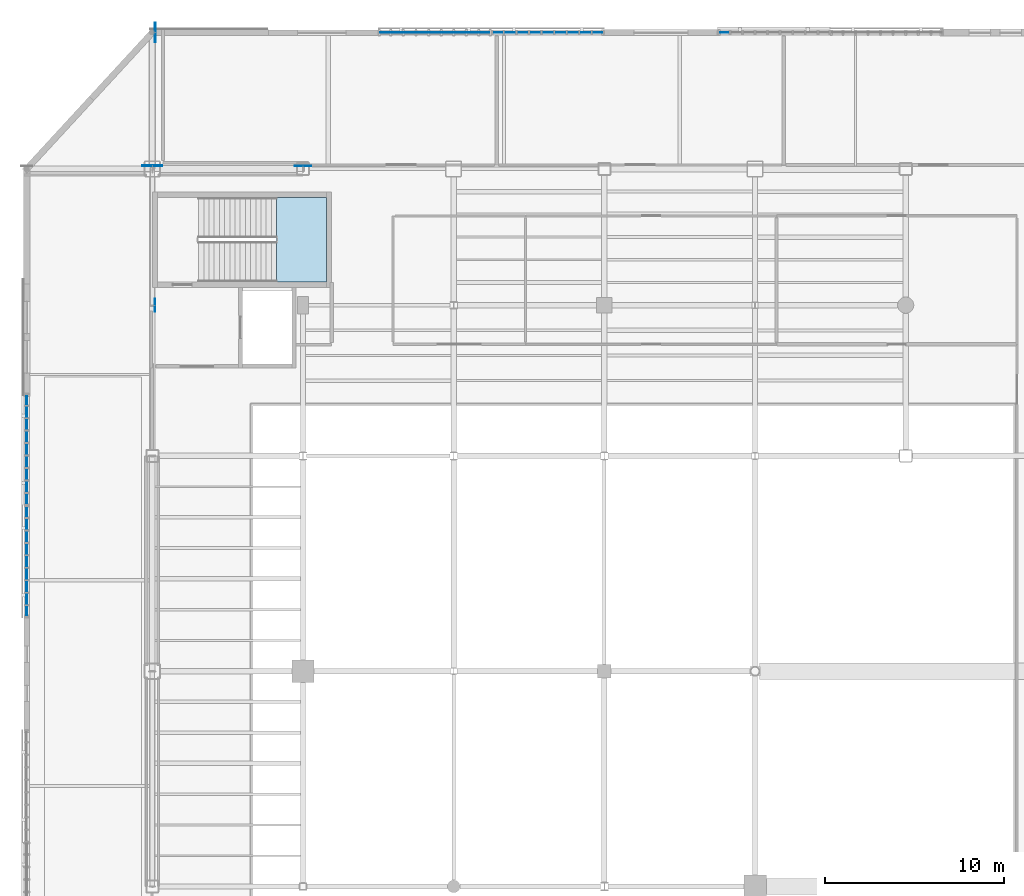
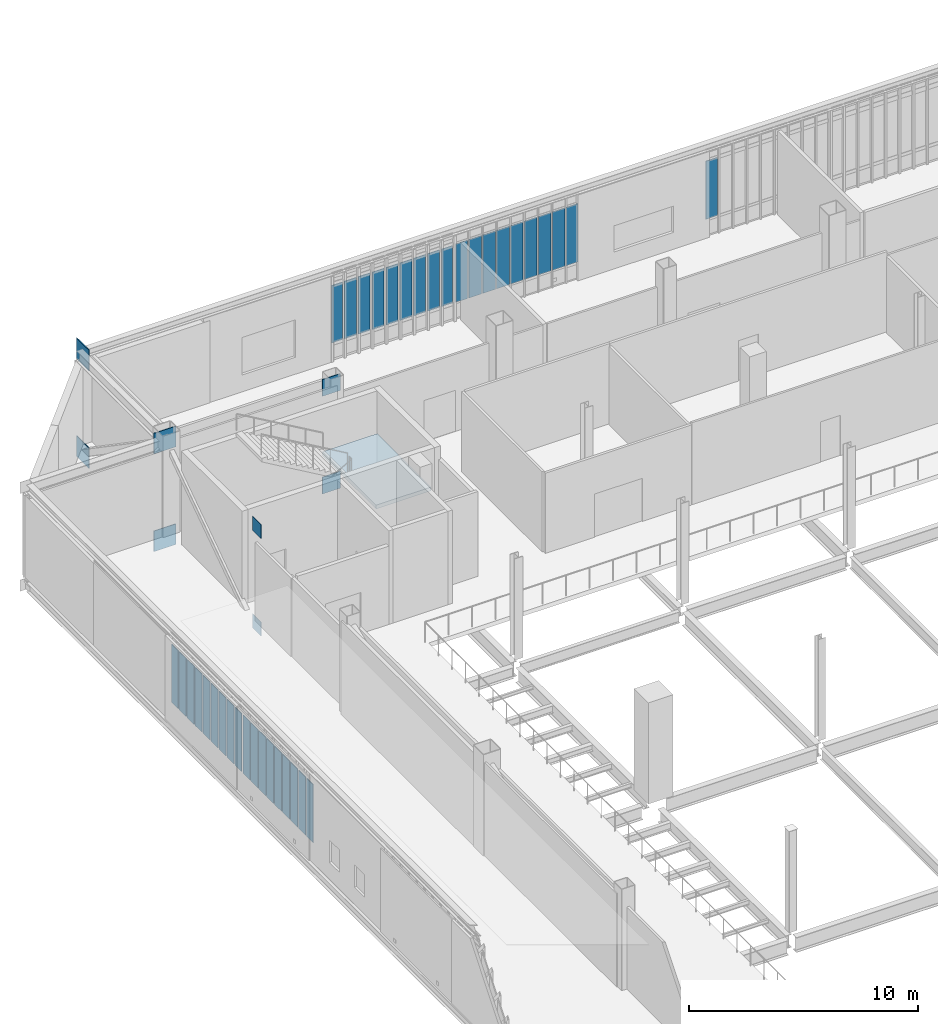
# One storey, part 78 of 127: 45 plates, 1 slab, 6 elements without a shape of their own.
"""IFC4 building model written with IfcOpenShell, lengths in metres."""

from ifc_helpers import new_model, si_unit, direction, frame, origin, origin_2d, place, context, subcontext, project, spatial, polyline, rectangle, outline, extrude, material, layer, layer_set, type_object, element, aggregate, save


model = new_model("IFC4")

# Units and contexts
model_context = context("Model", 3, precision=1e-05, world=origin(), true_north=direction((0.0, 1.0)))
body_context = subcontext(model_context, "Body", "Model", "MODEL_VIEW")
ifc_project = project(units=[si_unit("LENGTHUNIT", "METRE"), si_unit("AREAUNIT", "SQUARE_METRE"), si_unit("VOLUMEUNIT", "CUBIC_METRE"), si_unit("PLANEANGLEUNIT", "RADIAN"), si_unit("MASSUNIT", "GRAM", prefix="KILO")], contexts=[model_context])

# Site, building, storey
site_placement = place(None, origin())
site = spatial("IfcSite", under=ifc_project, at=site_placement, CompositionType="ELEMENT")
building_placement = place(site_placement, origin())
building = spatial("IfcBuilding", under=site, at=building_placement, Name="Larkvane Passage Sports Hall", CompositionType="ELEMENT")
storey_placement = place(building_placement, frame((0.0, 0.0, 5.39990234375)))
storey = spatial("IfcBuildingStorey", under=building, at=storey_placement, Name="L01", CompositionType="ELEMENT", Elevation=5.39990234375)

# Curtain wall, plates
ifc_material_1 = material(Name="Thermally broken aluminium and low-E glazing", Category="aluminium")
curtain_wall_type_1 = type_object("IfcCurtainWallType", Name="CW-UNIT-COURT", PredefinedType="USERDEFINED", material=ifc_material_1)
curtain_wall_1_placement = place(storey_placement, origin())
curtain_wall_1 = element("IfcCurtainWall", 1, at=curtain_wall_1_placement, inside=storey, type_object=curtain_wall_type_1, Name="Curtain wall CW5-L01-040", ObjectType="UNITISED CURTAIN WALL", PredefinedType="USERDEFINED")
ifc_material_2 = material(Name="Solar-control low-E double glazing", Category="glass")
ifc_layer_1 = layer(ifc_material_2, 0.028076171875)
ifc_layer_set_1 = layer_set([ifc_layer_1], Name="Solar-control low-E double glazing")
plate_type_1 = type_object("IfcPlateType", Name="CWP-VIS-28", PredefinedType="CURTAIN_PANEL", material=ifc_layer_set_1)
plate_1_placement = place(storey_placement, frame((54.066162109375, 99.199951171875, 0.8828125), z_axis=(0.0, 0.0, 1.0), x_axis=(1.0, 0.0, 0.0)))
plate_1 = element("IfcPlate", 2, at=plate_1_placement, type_object=plate_type_1, Name="CW-01 panel 1.2", PredefinedType="CURTAIN_PANEL", context=body_context, shape_type="SweptSolid", body=[
    extrude(rectangle(XDim=0.6025390625, YDim=0.028076171875, at=origin_2d()), origin(), (0.0, 0.0, 1.0), 3.113037109375),
])
plate_2_placement = place(storey_placement, frame((54.75, 99.199951171875, 0.8828125), z_axis=(0.0, 0.0, 1.0), x_axis=(1.0, 0.0, 0.0)))
plate_2 = element("IfcPlate", 3, at=plate_2_placement, type_object=plate_type_1, Name="CW-01 panel 2.2", PredefinedType="CURTAIN_PANEL", context=body_context, shape_type="SweptSolid", body=[
    extrude(rectangle(XDim=0.635009765625, YDim=0.028076171875, at=origin_2d()), origin(), (0.0, 0.0, 1.0), 3.113037109375),
])
plate_3_placement = place(storey_placement, frame((55.449951171875, 99.199951171875, 0.8828125), z_axis=(0.0, 0.0, 1.0), x_axis=(1.0, 0.0, 0.0)))
plate_3 = element("IfcPlate", 4, at=plate_3_placement, type_object=plate_type_1, Name="CW-01 panel 3.2", PredefinedType="CURTAIN_PANEL", context=body_context, shape_type="SweptSolid", body=[
    extrude(rectangle(XDim=0.635009765625, YDim=0.028076171875, at=origin_2d()), origin(), (0.0, 0.0, 1.0), 3.113037109375),
])
plate_4_placement = place(storey_placement, frame((56.14990234375, 99.199951171875, 0.8828125), z_axis=(0.0, 0.0, 1.0), x_axis=(1.0, 0.0, 0.0)))
plate_4 = element("IfcPlate", 5, at=plate_4_placement, type_object=plate_type_1, Name="CW-01 panel 4.2", PredefinedType="CURTAIN_PANEL", context=body_context, shape_type="SweptSolid", body=[
    extrude(rectangle(XDim=0.635009765625, YDim=0.028076171875, at=origin_2d()), origin(), (0.0, 0.0, 1.0), 3.113037109375),
])
plate_5_placement = place(storey_placement, frame((56.85009765625, 99.199951171875, 0.8828125), z_axis=(0.0, 0.0, 1.0), x_axis=(1.0, 0.0, 0.0)))
plate_5 = element("IfcPlate", 6, at=plate_5_placement, type_object=plate_type_1, Name="CW-01 panel 5.2", PredefinedType="CURTAIN_PANEL", context=body_context, shape_type="SweptSolid", body=[
    extrude(rectangle(XDim=0.635009765625, YDim=0.028076171875, at=origin_2d()), origin(), (0.0, 0.0, 1.0), 3.113037109375),
])
plate_6_placement = place(storey_placement, frame((57.550048828125, 99.199951171875, 0.8828125), z_axis=(0.0, 0.0, 1.0), x_axis=(1.0, 0.0, 0.0)))
plate_6 = element("IfcPlate", 7, at=plate_6_placement, type_object=plate_type_1, Name="CW-01 panel 6.2", PredefinedType="CURTAIN_PANEL", context=body_context, shape_type="SweptSolid", body=[
    extrude(rectangle(XDim=0.635009765625, YDim=0.028076171875, at=origin_2d()), origin(), (0.0, 0.0, 1.0), 3.113037109375),
])
plate_7_placement = place(storey_placement, frame((58.25, 99.199951171875, 0.8828125), z_axis=(0.0, 0.0, 1.0), x_axis=(1.0, 0.0, 0.0)))
plate_7 = element("IfcPlate", 8, at=plate_7_placement, type_object=plate_type_1, Name="CW-01 panel 7.2", PredefinedType="CURTAIN_PANEL", context=body_context, shape_type="SweptSolid", body=[
    extrude(rectangle(XDim=0.635009765625, YDim=0.028076171875, at=origin_2d()), origin(), (0.0, 0.0, 1.0), 3.113037109375),
])
plate_8_placement = place(storey_placement, frame((58.949951171875, 99.199951171875, 0.8828125), z_axis=(0.0, 0.0, 1.0), x_axis=(1.0, 0.0, 0.0)))
plate_8 = element("IfcPlate", 9, at=plate_8_placement, type_object=plate_type_1, Name="CW-01 panel 8.2", PredefinedType="CURTAIN_PANEL", context=body_context, shape_type="SweptSolid", body=[
    extrude(rectangle(XDim=0.635009765625, YDim=0.028076171875, at=origin_2d()), origin(), (0.0, 0.0, 1.0), 3.113037109375),
])
plate_9_placement = place(storey_placement, frame((59.6337890625, 99.199951171875, 0.8828125), z_axis=(0.0, 0.0, 1.0), x_axis=(1.0, 0.0, 0.0)))
plate_9 = element("IfcPlate", 10, at=plate_9_placement, type_object=plate_type_1, Name="CW-01 panel 9.2", PredefinedType="CURTAIN_PANEL", context=body_context, shape_type="SweptSolid", body=[
    extrude(rectangle(XDim=0.6025390625, YDim=0.028076171875, at=origin_2d()), origin(), (0.0, 0.0, 1.0), 3.113037109375),
])
aggregate(curtain_wall_1, [plate_1, plate_2, plate_3, plate_4, plate_5, plate_6, plate_7, plate_8, plate_9])

curtain_wall_type_2 = type_object("IfcCurtainWallType", Name="CW-UNIT-VEIL", PredefinedType="USERDEFINED", material=ifc_material_1)
curtain_wall_2_placement = place(storey_placement, origin())
curtain_wall_2 = element("IfcCurtainWall", 11, at=curtain_wall_2_placement, inside=storey, type_object=curtain_wall_type_2, Name="Curtain wall CW5-L01-037", ObjectType="UNITISED CURTAIN WALL", PredefinedType="USERDEFINED")
ifc_material_3 = material(Name="Laminated acoustic low-E glazing", Category="glass")
ifc_layer_2 = layer(ifc_material_3, 0.031982421875)
ifc_layer_set_2 = layer_set([ifc_layer_2], Name="Laminated acoustic low-E glazing")
plate_type_2 = type_object("IfcPlateType", Name="CWP-VIS-32", PredefinedType="CURTAIN_PANEL", material=ifc_layer_set_2)
plate_10_placement = place(storey_placement, frame((27.800048828125, 66.94677734375, 0.88525390625), z_axis=(0.0, 0.0, 1.0), x_axis=(0.0, 1.0, 0.0)))
plate_10 = element("IfcPlate", 12, at=plate_10_placement, type_object=plate_type_2, Name="CW-02 panel 1.2", PredefinedType="CURTAIN_PANEL", context=body_context, shape_type="SweptSolid", body=[
    extrude(rectangle(XDim=0.58984375, YDim=0.031982421875, at=origin_2d()), origin(), (0.0, 0.0, 1.0), 3.10791015625),
])
plate_11_placement = place(storey_placement, frame((27.800048828125, 67.624267578125, 0.88525390625), z_axis=(0.0, 0.0, 1.0), x_axis=(0.0, 1.0, 0.0)))
plate_11 = element("IfcPlate", 13, at=plate_11_placement, type_object=plate_type_2, Name="CW-02 panel 2.2", PredefinedType="CURTAIN_PANEL", context=body_context, shape_type="SweptSolid", body=[
    extrude(rectangle(XDim=0.625, YDim=0.031982421875, at=origin_2d()), origin(), (0.0, 0.0, 1.0), 3.10791015625),
])
plate_12_placement = place(storey_placement, frame((27.800048828125, 68.319091796875, 0.88525390625), z_axis=(0.0, 0.0, 1.0), x_axis=(0.0, 1.0, 0.0)))
plate_12 = element("IfcPlate", 14, at=plate_12_placement, type_object=plate_type_2, Name="CW-02 panel 3.2", PredefinedType="CURTAIN_PANEL", context=body_context, shape_type="SweptSolid", body=[
    extrude(rectangle(XDim=0.625, YDim=0.031982421875, at=origin_2d()), origin(), (0.0, 0.0, 1.0), 3.10791015625),
])
plate_13_placement = place(storey_placement, frame((27.800048828125, 69.01416015625, 0.88525390625), z_axis=(0.0, 0.0, 1.0), x_axis=(0.0, 1.0, 0.0)))
plate_13 = element("IfcPlate", 15, at=plate_13_placement, type_object=plate_type_2, Name="CW-02 panel 4.2", PredefinedType="CURTAIN_PANEL", context=body_context, shape_type="SweptSolid", body=[
    extrude(rectangle(XDim=0.625, YDim=0.031982421875, at=origin_2d()), origin(), (0.0, 0.0, 1.0), 3.10791015625),
])
plate_14_placement = place(storey_placement, frame((27.800048828125, 69.708984375, 0.88525390625), z_axis=(0.0, 0.0, 1.0), x_axis=(0.0, 1.0, 0.0)))
plate_14 = element("IfcPlate", 16, at=plate_14_placement, type_object=plate_type_2, Name="CW-02 panel 5.2", PredefinedType="CURTAIN_PANEL", context=body_context, shape_type="SweptSolid", body=[
    extrude(rectangle(XDim=0.625, YDim=0.031982421875, at=origin_2d()), origin(), (0.0, 0.0, 1.0), 3.10791015625),
])
plate_15_placement = place(storey_placement, frame((27.800048828125, 70.404052734375, 0.88525390625), z_axis=(0.0, 0.0, 1.0), x_axis=(0.0, 1.0, 0.0)))
plate_15 = element("IfcPlate", 17, at=plate_15_placement, type_object=plate_type_2, Name="CW-02 panel 6.2", PredefinedType="CURTAIN_PANEL", context=body_context, shape_type="SweptSolid", body=[
    extrude(rectangle(XDim=0.625, YDim=0.031982421875, at=origin_2d()), origin(), (0.0, 0.0, 1.0), 3.10791015625),
])
plate_16_placement = place(storey_placement, frame((27.800048828125, 71.09912109375, 0.88525390625), z_axis=(0.0, 0.0, 1.0), x_axis=(0.0, 1.0, 0.0)))
plate_16 = element("IfcPlate", 18, at=plate_16_placement, type_object=plate_type_2, Name="CW-02 panel 7.2", PredefinedType="CURTAIN_PANEL", context=body_context, shape_type="SweptSolid", body=[
    extrude(rectangle(XDim=0.625, YDim=0.031982421875, at=origin_2d()), origin(), (0.0, 0.0, 1.0), 3.10791015625),
])
plate_17_placement = place(storey_placement, frame((27.800048828125, 71.7939453125, 0.88525390625), z_axis=(0.0, 0.0, 1.0), x_axis=(0.0, 1.0, 0.0)))
plate_17 = element("IfcPlate", 19, at=plate_17_placement, type_object=plate_type_2, Name="CW-02 panel 8.2", PredefinedType="CURTAIN_PANEL", context=body_context, shape_type="SweptSolid", body=[
    extrude(rectangle(XDim=0.625, YDim=0.031982421875, at=origin_2d()), origin(), (0.0, 0.0, 1.0), 3.10791015625),
])
plate_18_placement = place(storey_placement, frame((27.800048828125, 72.471435546875, 0.88525390625), z_axis=(0.0, 0.0, 1.0), x_axis=(0.0, 1.0, 0.0)))
plate_18 = element("IfcPlate", 20, at=plate_18_placement, type_object=plate_type_2, Name="CW-02 panel 9.2", PredefinedType="CURTAIN_PANEL", context=body_context, shape_type="SweptSolid", body=[
    extrude(rectangle(XDim=0.58984375, YDim=0.031982421875, at=origin_2d()), origin(), (0.0, 0.0, 1.0), 3.10791015625),
])
aggregate(curtain_wall_2, [plate_10, plate_11, plate_12, plate_13, plate_14, plate_15, plate_16, plate_17, plate_18])

# Curtain wall, plate
curtain_wall_3_placement = place(storey_placement, origin())
curtain_wall_3 = element("IfcCurtainWall", 21, at=curtain_wall_3_placement, inside=storey, type_object=curtain_wall_type_2, Name="Curtain wall CW5-L01-041", ObjectType="UNITISED CURTAIN WALL", PredefinedType="USERDEFINED")
plate_19_placement = place(storey_placement, frame((66.668701171875, 99.199951171875, 0.8876953125), z_axis=(0.0, 0.0, 1.0), x_axis=(1.0, 0.0, 0.0)))
plate_19 = element("IfcPlate", 22, at=plate_19_placement, type_object=plate_type_2, Name="CW-02 panel 1.2", PredefinedType="CURTAIN_PANEL", context=body_context, shape_type="SweptSolid", body=[
    extrude(rectangle(XDim=0.58740234375, YDim=0.031982421875, at=origin_2d()), origin(), (0.0, 0.0, 1.0), 3.10302734375),
])
aggregate(curtain_wall_3, [plate_19])

# Curtain wall, plates
curtain_wall_type_3 = type_object("IfcCurtainWallType", Name="CW-STICK-FOYER", PredefinedType="USERDEFINED", material=ifc_material_1)
curtain_wall_4_placement = place(storey_placement, origin())
curtain_wall_4 = element("IfcCurtainWall", 23, at=curtain_wall_4_placement, inside=storey, type_object=curtain_wall_type_3, Name="Curtain wall CW5-L01-038", ObjectType="STICK CURTAIN WALL", PredefinedType="USERDEFINED")
ifc_material_4 = material(Name="High-impact court low-E glazing", Category="glass")
ifc_layer_3 = layer(ifc_material_4, 0.035888671875)
ifc_layer_set_3 = layer_set([ifc_layer_3], Name="High-impact court low-E glazing")
plate_type_3 = type_object("IfcPlateType", Name="CWP-VIS-36", PredefinedType="CURTAIN_PANEL", material=ifc_layer_set_3)
plate_20_placement = place(storey_placement, frame((27.800048828125, 73.203857421875, 0.89013671875), z_axis=(0.0, 0.0, 1.0), x_axis=(0.0, 1.0, 0.0)))
plate_20 = element("IfcPlate", 24, at=plate_20_placement, type_object=plate_type_3, Name="CW-03 panel 1.2", PredefinedType="CURTAIN_PANEL", context=body_context, shape_type="SweptSolid", body=[
    extrude(rectangle(XDim=0.574951171875, YDim=0.035888671875, at=origin_2d()), origin(), (0.0, 0.0, 1.0), 3.097900390625),
])
plate_21_placement = place(storey_placement, frame((27.800048828125, 73.87890625, 0.89013671875), z_axis=(0.0, 0.0, 1.0), x_axis=(0.0, 1.0, 0.0)))
plate_21 = element("IfcPlate", 25, at=plate_21_placement, type_object=plate_type_3, Name="CW-03 panel 2.2", PredefinedType="CURTAIN_PANEL", context=body_context, shape_type="SweptSolid", body=[
    extrude(rectangle(XDim=0.614990234375, YDim=0.035888671875, at=origin_2d()), origin(), (0.0, 0.0, 1.0), 3.097900390625),
])
plate_22_placement = place(storey_placement, frame((27.800048828125, 74.57373046875, 0.89013671875), z_axis=(0.0, 0.0, 1.0), x_axis=(0.0, 1.0, 0.0)))
plate_22 = element("IfcPlate", 26, at=plate_22_placement, type_object=plate_type_3, Name="CW-03 panel 3.2", PredefinedType="CURTAIN_PANEL", context=body_context, shape_type="SweptSolid", body=[
    extrude(rectangle(XDim=0.614990234375, YDim=0.035888671875, at=origin_2d()), origin(), (0.0, 0.0, 1.0), 3.097900390625),
])
plate_23_placement = place(storey_placement, frame((27.800048828125, 75.268798828125, 0.89013671875), z_axis=(0.0, 0.0, 1.0), x_axis=(0.0, 1.0, 0.0)))
plate_23 = element("IfcPlate", 27, at=plate_23_placement, type_object=plate_type_3, Name="CW-03 panel 4.2", PredefinedType="CURTAIN_PANEL", context=body_context, shape_type="SweptSolid", body=[
    extrude(rectangle(XDim=0.614990234375, YDim=0.035888671875, at=origin_2d()), origin(), (0.0, 0.0, 1.0), 3.097900390625),
])
plate_24_placement = place(storey_placement, frame((27.800048828125, 75.963623046875, 0.89013671875), z_axis=(0.0, 0.0, 1.0), x_axis=(0.0, 1.0, 0.0)))
plate_24 = element("IfcPlate", 28, at=plate_24_placement, type_object=plate_type_3, Name="CW-03 panel 5.2", PredefinedType="CURTAIN_PANEL", context=body_context, shape_type="SweptSolid", body=[
    extrude(rectangle(XDim=0.614990234375, YDim=0.035888671875, at=origin_2d()), origin(), (0.0, 0.0, 1.0), 3.097900390625),
])
plate_25_placement = place(storey_placement, frame((27.800048828125, 76.65869140625, 0.89013671875), z_axis=(0.0, 0.0, 1.0), x_axis=(0.0, 1.0, 0.0)))
plate_25 = element("IfcPlate", 29, at=plate_25_placement, type_object=plate_type_3, Name="CW-03 panel 6.2", PredefinedType="CURTAIN_PANEL", context=body_context, shape_type="SweptSolid", body=[
    extrude(rectangle(XDim=0.614990234375, YDim=0.035888671875, at=origin_2d()), origin(), (0.0, 0.0, 1.0), 3.097900390625),
])
plate_26_placement = place(storey_placement, frame((27.800048828125, 77.353515625, 0.89013671875), z_axis=(0.0, 0.0, 1.0), x_axis=(0.0, 1.0, 0.0)))
plate_26 = element("IfcPlate", 30, at=plate_26_placement, type_object=plate_type_3, Name="CW-03 panel 7.2", PredefinedType="CURTAIN_PANEL", context=body_context, shape_type="SweptSolid", body=[
    extrude(rectangle(XDim=0.614990234375, YDim=0.035888671875, at=origin_2d()), origin(), (0.0, 0.0, 1.0), 3.097900390625),
])
plate_27_placement = place(storey_placement, frame((27.800048828125, 78.048583984375, 0.89013671875), z_axis=(0.0, 0.0, 1.0), x_axis=(0.0, 1.0, 0.0)))
plate_27 = element("IfcPlate", 31, at=plate_27_placement, type_object=plate_type_3, Name="CW-03 panel 8.2", PredefinedType="CURTAIN_PANEL", context=body_context, shape_type="SweptSolid", body=[
    extrude(rectangle(XDim=0.614990234375, YDim=0.035888671875, at=origin_2d()), origin(), (0.0, 0.0, 1.0), 3.097900390625),
])
plate_28_placement = place(storey_placement, frame((27.800048828125, 78.723388671875, 0.89013671875), z_axis=(0.0, 0.0, 1.0), x_axis=(0.0, 1.0, 0.0)))
plate_28 = element("IfcPlate", 32, at=plate_28_placement, type_object=plate_type_3, Name="CW-03 panel 9.2", PredefinedType="CURTAIN_PANEL", context=body_context, shape_type="SweptSolid", body=[
    extrude(rectangle(XDim=0.574951171875, YDim=0.035888671875, at=origin_2d()), origin(), (0.0, 0.0, 1.0), 3.097900390625),
])
aggregate(curtain_wall_4, [plate_20, plate_21, plate_22, plate_23, plate_24, plate_25, plate_26, plate_27, plate_28])

curtain_wall_type_4 = type_object("IfcCurtainWallType", Name="CW-CLINIC", PredefinedType="USERDEFINED", material=ifc_material_1)
curtain_wall_5_placement = place(storey_placement, origin())
curtain_wall_5 = element("IfcCurtainWall", 33, at=curtain_wall_5_placement, inside=storey, type_object=curtain_wall_type_4, Name="Curtain wall CW5-L01-039", ObjectType="UNITISED CURTAIN WALL", PredefinedType="USERDEFINED")
ifc_material_5 = material(Name="Triple-laminated typhoon glazing", Category="glass")
ifc_layer_4 = layer(ifc_material_5, 0.0419921875)
ifc_layer_set_4 = layer_set([ifc_layer_4], Name="Triple-laminated typhoon glazing")
plate_type_4 = type_object("IfcPlateType", Name="CWP-VIS-42", PredefinedType="CURTAIN_PANEL", material=ifc_layer_set_4)
plate_29_placement = place(storey_placement, frame((47.777587890625, 99.199951171875, 0.905029296875), z_axis=(0.0, 0.0, 1.0), x_axis=(1.0, 0.0, 0.0)))
plate_29 = element("IfcPlate", 34, at=plate_29_placement, type_object=plate_type_4, Name="CW-05 panel 1.2", PredefinedType="CURTAIN_PANEL", context=body_context, shape_type="SweptSolid", body=[
    extrude(rectangle(XDim=0.534912109375, YDim=0.0419921875, at=origin_2d()), origin(), (0.0, 0.0, 1.0), 3.05810546875),
])
plate_30_placement = place(storey_placement, frame((48.449951171875, 99.199951171875, 0.905029296875), z_axis=(0.0, 0.0, 1.0), x_axis=(1.0, 0.0, 0.0)))
plate_30 = element("IfcPlate", 35, at=plate_30_placement, type_object=plate_type_4, Name="CW-05 panel 2.2", PredefinedType="CURTAIN_PANEL", context=body_context, shape_type="SweptSolid", body=[
    extrude(rectangle(XDim=0.590087890625, YDim=0.0419921875, at=origin_2d()), origin(), (0.0, 0.0, 1.0), 3.05810546875),
])
plate_31_placement = place(storey_placement, frame((49.14990234375, 99.199951171875, 0.905029296875), z_axis=(0.0, 0.0, 1.0), x_axis=(1.0, 0.0, 0.0)))
plate_31 = element("IfcPlate", 36, at=plate_31_placement, type_object=plate_type_4, Name="CW-05 panel 3.2", PredefinedType="CURTAIN_PANEL", context=body_context, shape_type="SweptSolid", body=[
    extrude(rectangle(XDim=0.590087890625, YDim=0.0419921875, at=origin_2d()), origin(), (0.0, 0.0, 1.0), 3.05810546875),
])
plate_32_placement = place(storey_placement, frame((49.85009765625, 99.199951171875, 0.905029296875), z_axis=(0.0, 0.0, 1.0), x_axis=(1.0, 0.0, 0.0)))
plate_32 = element("IfcPlate", 37, at=plate_32_placement, type_object=plate_type_4, Name="CW-05 panel 4.2", PredefinedType="CURTAIN_PANEL", context=body_context, shape_type="SweptSolid", body=[
    extrude(rectangle(XDim=0.590087890625, YDim=0.0419921875, at=origin_2d()), origin(), (0.0, 0.0, 1.0), 3.05810546875),
])
plate_33_placement = place(storey_placement, frame((50.550048828125, 99.199951171875, 0.905029296875), z_axis=(0.0, 0.0, 1.0), x_axis=(1.0, 0.0, 0.0)))
plate_33 = element("IfcPlate", 38, at=plate_33_placement, type_object=plate_type_4, Name="CW-05 panel 5.2", PredefinedType="CURTAIN_PANEL", context=body_context, shape_type="SweptSolid", body=[
    extrude(rectangle(XDim=0.590087890625, YDim=0.0419921875, at=origin_2d()), origin(), (0.0, 0.0, 1.0), 3.05810546875),
])
plate_34_placement = place(storey_placement, frame((51.25, 99.199951171875, 0.905029296875), z_axis=(0.0, 0.0, 1.0), x_axis=(1.0, 0.0, 0.0)))
plate_34 = element("IfcPlate", 39, at=plate_34_placement, type_object=plate_type_4, Name="CW-05 panel 6.2", PredefinedType="CURTAIN_PANEL", context=body_context, shape_type="SweptSolid", body=[
    extrude(rectangle(XDim=0.590087890625, YDim=0.0419921875, at=origin_2d()), origin(), (0.0, 0.0, 1.0), 3.05810546875),
])
plate_35_placement = place(storey_placement, frame((51.949951171875, 99.199951171875, 0.905029296875), z_axis=(0.0, 0.0, 1.0), x_axis=(1.0, 0.0, 0.0)))
plate_35 = element("IfcPlate", 40, at=plate_35_placement, type_object=plate_type_4, Name="CW-05 panel 7.2", PredefinedType="CURTAIN_PANEL", context=body_context, shape_type="SweptSolid", body=[
    extrude(rectangle(XDim=0.590087890625, YDim=0.0419921875, at=origin_2d()), origin(), (0.0, 0.0, 1.0), 3.05810546875),
])
plate_36_placement = place(storey_placement, frame((52.64990234375, 99.199951171875, 0.905029296875), z_axis=(0.0, 0.0, 1.0), x_axis=(1.0, 0.0, 0.0)))
plate_36 = element("IfcPlate", 41, at=plate_36_placement, type_object=plate_type_4, Name="CW-05 panel 8.2", PredefinedType="CURTAIN_PANEL", context=body_context, shape_type="SweptSolid", body=[
    extrude(rectangle(XDim=0.590087890625, YDim=0.0419921875, at=origin_2d()), origin(), (0.0, 0.0, 1.0), 3.05810546875),
])
plate_37_placement = place(storey_placement, frame((53.322509765625, 99.199951171875, 0.905029296875), z_axis=(0.0, 0.0, 1.0), x_axis=(1.0, 0.0, 0.0)))
plate_37 = element("IfcPlate", 42, at=plate_37_placement, type_object=plate_type_4, Name="CW-05 panel 9.2", PredefinedType="CURTAIN_PANEL", context=body_context, shape_type="SweptSolid", body=[
    extrude(rectangle(XDim=0.534912109375, YDim=0.0419921875, at=origin_2d()), origin(), (0.0, 0.0, 1.0), 3.05810546875),
])
aggregate(curtain_wall_5, [plate_29, plate_30, plate_31, plate_32, plate_33, plate_34, plate_35, plate_36, plate_37])

# Plates
ifc_material_6 = material(Name="Steel S460N", Category="steel")
ifc_layer_5 = layer(ifc_material_6, 0.02392578125)
ifc_layer_set_5 = layer_set([ifc_layer_5], Name="Steel S460N")
plate_type_5 = type_object("IfcPlateType", Name="PLT-GUS-24", PredefinedType="USERDEFINED", material=ifc_layer_set_5)
for number, where, z_axis, x_axis, name in (
    (43, (34.9619140625, 84.0, -0.89892578125), (0.0, 0.0, 1.0), (0.0, 1.0, 0.0), "Truss node gusset plate ND-1B (CT-N1A-1)"),
    (44, (34.9619140625, 84.0, 4.31103515625), (0.0, 0.0, 1.0), (0.0, 1.0, 0.0), "Truss node gusset plate ND-1T (CT-N1A-1)"),
):
    element("IfcPlate", number, at=place(storey_placement, frame(where, z_axis=z_axis, x_axis=x_axis)), inside=storey, type_object=plate_type_5, Name=name, ObjectType="GUSSET PLATE", PredefinedType="USERDEFINED", context=body_context, shape_type="SweptSolid", body=[
        extrude(rectangle(XDim=0.75, YDim=0.02392578125, at=origin_2d()), origin(), (0.0, 0.0, 1.0), 0.75),
    ])
ifc_layer_6 = layer(ifc_material_6, 0.031982421875)
ifc_layer_set_6 = layer_set([ifc_layer_6], Name="Steel S460N")
plate_type_6 = type_object("IfcPlateType", Name="PLT-GUS-32", PredefinedType="USERDEFINED", material=ifc_layer_set_6)
for number, where, z_axis, x_axis, name in (
    (45, (43.199951171875, 91.76611328125, -0.973876953125), (0.0, 0.0, 1.0), (1.0, 0.0, 0.0), "Truss node gusset plate ND-3B (CT-W1A-2)"),
    (46, (43.199951171875, 91.76611328125, 4.236083984375), (0.0, 0.0, 1.0), (1.0, 0.0, 0.0), "Truss node gusset plate ND-3T (CT-W1A-2)"),
):
    element("IfcPlate", number, at=place(storey_placement, frame(where, z_axis=z_axis, x_axis=x_axis)), inside=storey, type_object=plate_type_6, Name=name, ObjectType="GUSSET PLATE", PredefinedType="USERDEFINED", context=body_context, shape_type="SweptSolid", body=[
        extrude(rectangle(XDim=0.89990234375, YDim=0.031982421875, at=origin_2d()), origin(), (0.0, 0.0, 1.0), 0.89990234375),
    ])
ifc_layer_7 = layer(ifc_material_6, 0.0400390625)
ifc_layer_set_7 = layer_set([ifc_layer_7], Name="Steel S460N")
plate_type_7 = type_object("IfcPlateType", Name="PLT-GUS-40", PredefinedType="USERDEFINED", material=ifc_layer_set_7)
for number, where, z_axis, x_axis, name in (
    (47, (34.800048828125, 91.77001953125, -1.073974609375), (0.0, 0.0, 1.0), (1.0, 0.0, 0.0), "Truss node gusset plate ND-2B (CT-W1A-2)"),
    (48, (34.800048828125, 91.77001953125, 4.135986328125), (0.0, 0.0, 1.0), (1.0, 0.0, 0.0), "Truss node gusset plate ND-2T (CT-W1A-2)"),
    (49, (34.969970703125, 99.199951171875, -1.073974609375), (0.0, 0.0, 1.0), (0.0, 1.0, 0.0), "Truss node gusset plate ND-3B (CT-N1A-1)"),
    (50, (34.969970703125, 99.199951171875, 4.135986328125), (0.0, 0.0, 1.0), (0.0, 1.0, 0.0), "Truss node gusset plate ND-3T (CT-N1A-1)"),
):
    element("IfcPlate", number, at=place(storey_placement, frame(where, z_axis=z_axis, x_axis=x_axis)), inside=storey, type_object=plate_type_7, Name=name, ObjectType="GUSSET PLATE", PredefinedType="USERDEFINED", context=body_context, shape_type="SweptSolid", body=[
        extrude(rectangle(XDim=1.10009765625, YDim=0.0400390625, at=origin_2d()), origin(), (0.0, 0.0, 1.0), 1.10009765625),
    ])

# Stair, slab
ifc_material_7 = material(Name="Concrete C40/50", Category="concrete")
stair_type = type_object("IfcStairType", Name="STR-CORE-2250", PredefinedType="HALF_TURN_STAIR", material=ifc_material_7)
stair_placement = place(storey_placement, origin())
stair = element("IfcStair", 51, at=stair_placement, inside=storey, type_object=stair_type, Name="L01 Protected exit stair ST-02", PredefinedType="HALF_TURN_STAIR")
ifc_layer_8 = layer(ifc_material_7, 0.199951171875)
ifc_layer_set_8 = layer_set([ifc_layer_8], Name="Concrete C40/50")
slab_type = type_object("IfcSlabType", Name="SLB-LAND-200", PredefinedType="LANDING", material=ifc_layer_set_8)
slab_placement = place(storey_placement, frame((0.0, 0.0, 2.5)))
slab = element("IfcSlab", 52, at=slab_placement, type_object=slab_type, Name="ST-02 landing 1", PredefinedType="LANDING", context=body_context, shape_type="SweptSolid", body=[
    extrude(outline(polyline([(41.72998046875, 85.300048828125), (44.5, 85.300048828125), (44.5, 90.0), (41.72998046875, 90.0), (41.72998046875, 85.300048828125)])), origin(), (0.0, 0.0, 1.0), 0.2001953125),
])
aggregate(stair, [slab])

save(model, "model.ifc")
